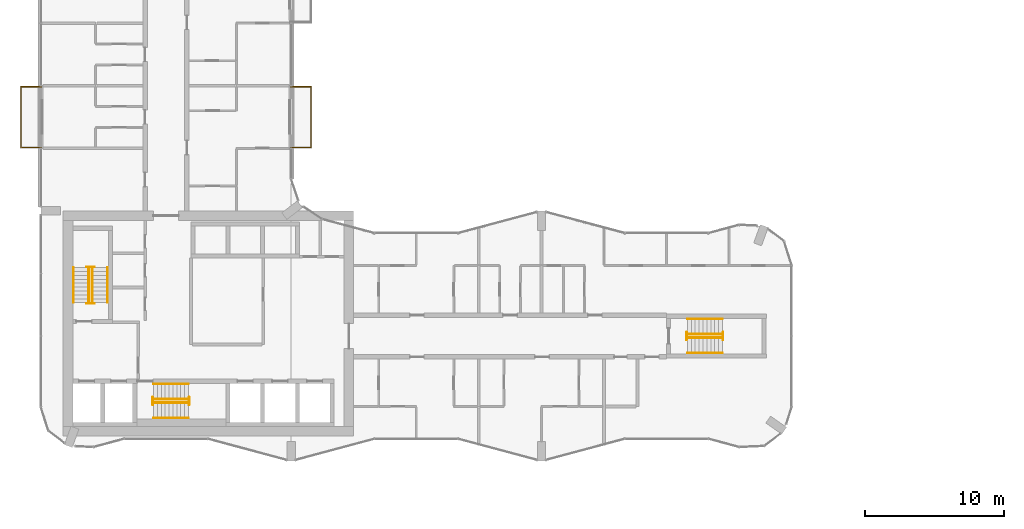
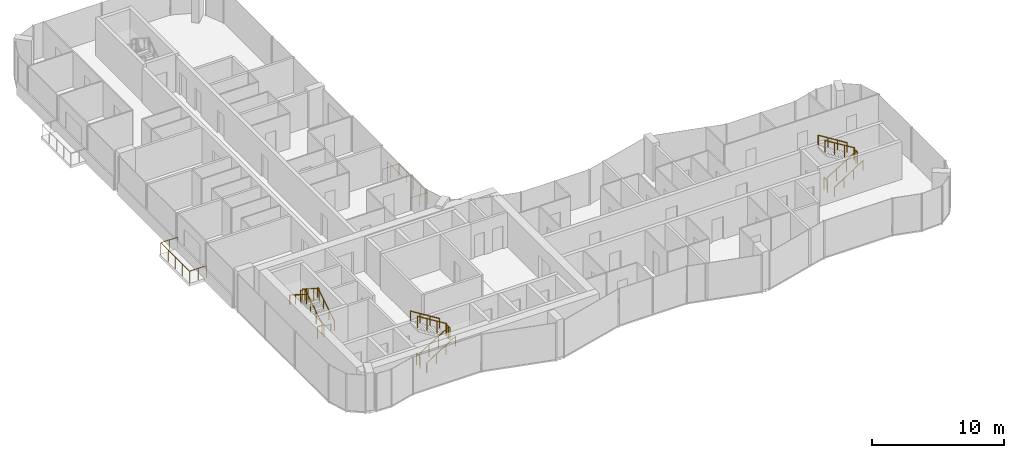
# One storey, part 21 of 23: 20 railings.
"""IFC4 building model written with IfcOpenShell, lengths in metres."""

import ifcopenshell
import ifcopenshell.guid

model = None  # the IFC model being written
_history = None  # IfcOwnerHistory: only IFC2X3 demands one
_inside = {}  # id of a spatial element -> (the spatial element, [elements in it])
_under = {}  # id of a project, library or spatial element -> (it, [spatial elements below it])
_declared = {}  # id of a project -> (the project, [libraries it declares])
_typed = {}  # id of a type object -> (the type object, [elements of that type])
_made_of = {}  # id of a material, layer set ... -> (it, [elements and type objects made of it])


def new_model(schema):
    """Start an empty IFC model of exactly this schema.

    Asked for "IFC4X3", IfcOpenShell would pick the latest addendum, in which some entities
    have other attributes; the version numbers below select the first issue.
    IFC2X3 requires an IfcOwnerHistory on every rooted entity: one is made here for all.
    """
    global model, _history
    if schema == "IFC4X3":
        model = ifcopenshell.file(schema_version=(4, 3, 0, 0))
    else:
        model = ifcopenshell.file(schema=schema)
    _inside.clear()
    _under.clear()
    _declared.clear()
    _typed.clear()
    _made_of.clear()
    _history = None
    if model.schema == "IFC2X3":
        org = make("IfcOrganization", Name="unknown")
        user = make(
            "IfcPersonAndOrganization",
            ThePerson=make("IfcPerson", FamilyName="unknown"),
            TheOrganization=org,
        )
        app = make(
            "IfcApplication",
            ApplicationDeveloper=org,
            Version="unknown",
            ApplicationFullName="unknown",
            ApplicationIdentifier="unknown",
        )
        _history = make(
            "IfcOwnerHistory",
            OwningUser=user,
            OwningApplication=app,
            ChangeAction="ADDED",
            CreationDate=0,
        )
    return model


def make(cls, **values):
    """One entity of the class cls with the attributes given. An attribute that is None is left unset."""
    return model.create_entity(
        cls, **{name: value for name, value in values.items() if value is not None}
    )


def rooted(cls, **values):
    """An entity with a GlobalId (a new one), such as an element, a storey or a relation."""
    return make(cls, GlobalId=ifcopenshell.guid.new(), OwnerHistory=_history, **values)


def si_unit(unit_type, name, prefix=None):
    """IfcSIUnit, for example si_unit("LENGTHUNIT", "METRE", prefix="MILLI")."""
    return make("IfcSIUnit", UnitType=unit_type, Prefix=prefix, Name=name)


def assignment(units):
    """IfcUnitAssignment: the units of a project."""
    return None if units is None else make("IfcUnitAssignment", Units=units)


def point(xyz):
    """IfcCartesianPoint."""
    return None if xyz is None else make("IfcCartesianPoint", Coordinates=xyz)


def direction(xyz):
    """IfcDirection."""
    return None if xyz is None else make("IfcDirection", DirectionRatios=xyz)


def frame(location, z_axis=None, x_axis=None):
    """IfcAxis2Placement3D, a coordinate frame: its origin and axes. An axis left out is left unset."""
    return make(
        "IfcAxis2Placement3D",
        Location=point(location),
        Axis=direction(z_axis),
        RefDirection=direction(x_axis),
    )


def frame_2d(location, x_axis=None):
    """IfcAxis2Placement2D, a coordinate frame in the plane: its origin and x axis."""
    return make(
        "IfcAxis2Placement2D", Location=point(location), RefDirection=direction(x_axis)
    )


def origin():
    """The frame at (0, 0, 0) with its axes left unset."""
    return frame((0.0, 0.0, 0.0))


def origin_2d():
    """The frame at (0, 0) in the plane with its x axis left unset."""
    return frame_2d((0.0, 0.0))


def place(relative_to, where):
    """IfcLocalPlacement: puts the frame where relative to a parent placement (None: the world)."""
    return make(
        "IfcLocalPlacement", PlacementRelTo=relative_to, RelativePlacement=where
    )


def context(
    kind, dimensions, precision=None, world=None, true_north=None, identifier=None
):
    """IfcGeometricRepresentationContext, for example the 3D "Model" context."""
    return make(
        "IfcGeometricRepresentationContext",
        ContextIdentifier=identifier,
        ContextType=kind,
        CoordinateSpaceDimension=dimensions,
        Precision=precision,
        WorldCoordinateSystem=world,
        TrueNorth=true_north,
    )


def subcontext(parent, identifier, kind, view, scale=None):
    """IfcGeometricRepresentationSubContext, for example "Body" below "Model"."""
    return make(
        "IfcGeometricRepresentationSubContext",
        ContextIdentifier=identifier,
        ContextType=kind,
        ParentContext=parent,
        TargetScale=scale,
        TargetView=view,
    )


def project(units=None, contexts=None):
    """IfcProject with its units and contexts."""
    return rooted(
        "IfcProject",
        Name="project",
        RepresentationContexts=contexts,
        UnitsInContext=assignment(units),
    )


def spatial(cls, under=None, at=None, **own):
    """A site, building, storey or space (cls), placed at a placement, below another one or the project."""
    s = rooted(cls, ObjectPlacement=at, **own)
    if under is not None:
        _under.setdefault(under.id(), (under, []))[1].append(s)
    return s


def profile(cls, at=None, kind="AREA", **sizes):
    """A parametric profile (cls). Its sizes go by their IFC names, for example OverallWidth=200.0."""
    return make(cls, ProfileType=kind, Position=at, **sizes)


def circle(**sizes):
    """IfcCircleProfileDef."""
    return profile("IfcCircleProfileDef", **sizes)


def extrude(swept, where, along, depth):
    """IfcExtrudedAreaSolid: the profile swept, set in the frame where, extruded along a direction by depth."""
    return make(
        "IfcExtrudedAreaSolid",
        SweptArea=swept,
        Position=where,
        ExtrudedDirection=direction(along),
        Depth=depth,
    )


def shape(context_of_items, identifier, shape_type, items):
    """IfcShapeRepresentation: the items that make up one representation, for example the "Body"."""
    return make(
        "IfcShapeRepresentation",
        ContextOfItems=context_of_items,
        RepresentationIdentifier=identifier,
        RepresentationType=shape_type,
        Items=items,
    )


def material(Name=None, Category=None):
    """IfcMaterial."""
    return make("IfcMaterial", Name=Name, Category=Category)


def made_of(thing, what):
    """Note that an element or type object is made of a material, layer set ...; save() writes the relation."""
    if what is not None:
        _made_of.setdefault(what.id(), (what, []))[1].append(thing)
    return thing


def type_object(cls, material=None, **own):
    """A type object (cls), such as IfcWallType, which elements share."""
    return made_of(rooted(cls, **own), material)


def element(
    cls,
    number,
    at=None,
    inside=None,
    cuts=None,
    type_object=None,
    material=None,
    context=None,
    identifier="Body",
    shape_type=None,
    held_by="IfcProductDefinitionShape",
    body=None,
    shapes=None,
    **own,
):
    """One element of the class cls, such as IfcWall. Its Tag is "e" and its number.

    at: its placement. inside: the storey or other place that contains it. cuts: it is an
    opening in that element (IfcRelVoidsElement). A single representation is given by context,
    identifier, shape_type and body (its items); several are given by shapes. held_by: the class
    of the entity that holds the representations. save() writes the other relations.
    """
    e = rooted(cls, Tag="e%d" % number, ObjectPlacement=at, **own)
    if body is not None:
        shapes = [shape(context, identifier, shape_type, body)]
    if shapes is not None:
        e.Representation = make(held_by, Representations=shapes)
    if inside is not None:
        _inside.setdefault(inside.id(), (inside, []))[1].append(e)
    if cuts is not None:
        rooted(
            "IfcRelVoidsElement", RelatingBuildingElement=cuts, RelatedOpeningElement=e
        )
    if type_object is not None:
        _typed.setdefault(type_object.id(), (type_object, []))[1].append(e)
    return made_of(e, material)


def aggregate(whole, parts):
    """IfcRelAggregates: a whole, such as a stair, and the parts it consists of."""
    return rooted("IfcRelAggregates", RelatingObject=whole, RelatedObjects=parts)


def save(model, path):
    """Write the relations noted so far, then the file.

    IfcRelAggregates (storeys below a building ...), IfcRelContainedInSpatialStructure (elements
    in a storey), IfcRelDefinesByType, IfcRelAssociatesMaterial and IfcRelDeclares: one each for
    every whole, place, type object, material and project.
    """
    for whole, parts in _under.values():
        aggregate(whole, parts)
    for where, things in _inside.values():
        rooted(
            "IfcRelContainedInSpatialStructure",
            RelatedElements=things,
            RelatingStructure=where,
        )
    for kind, things in _typed.values():
        rooted("IfcRelDefinesByType", RelatedObjects=things, RelatingType=kind)
    for what, things in _made_of.values():
        rooted("IfcRelAssociatesMaterial", RelatedObjects=things, RelatingMaterial=what)
    for by, libraries in _declared.values():
        rooted("IfcRelDeclares", RelatingContext=by, RelatedDefinitions=libraries)
    model.write(path)


model = new_model("IFC4")

# Units and contexts
model_context = context("Model", 3, precision=1e-05, world=origin(), true_north=direction((0.0, 1.0)))
body_context = subcontext(model_context, "Body", "Model", "MODEL_VIEW")
ifc_project = project(units=[si_unit("LENGTHUNIT", "METRE"), si_unit("AREAUNIT", "SQUARE_METRE"), si_unit("VOLUMEUNIT", "CUBIC_METRE"), si_unit("PLANEANGLEUNIT", "RADIAN"), si_unit("MASSUNIT", "GRAM", prefix="KILO")], contexts=[model_context])

# Site, building, storey
site_placement = place(None, origin())
site = spatial("IfcSite", under=ifc_project, at=site_placement, CompositionType="ELEMENT")
building_placement = place(site_placement, origin())
building = spatial("IfcBuilding", under=site, at=building_placement, Name="Plateau Cross Towers", CompositionType="ELEMENT")
storey_placement = place(building_placement, frame((0.0, 0.0, 85.300048828125)))
storey = spatial("IfcBuildingStorey", under=building, at=storey_placement, Name="L21", CompositionType="ELEMENT", Elevation=85.300048828125)

# Railings
ifc_material_1 = material(Name="Stainless steel and toughened glass", Category="steel")
railing_type_1 = type_object("IfcRailingType", Name="Glass balustrade guard 1100", PredefinedType="GUARDRAIL", material=ifc_material_1)
railing_1_placement = place(storey_placement, frame((0.050048828125, 22.570068359375, 0.0)))
element("IfcRailing", 1, at=railing_1_placement, inside=storey, type_object=railing_type_1, Name="Guard guard1", PredefinedType="GUARDRAIL", context=body_context, shape_type="SweptSolid", body=[
    extrude(circle(Radius=0.02392578125, at=origin_2d()), frame((0.0, 0.0, 1.076171875), z_axis=(-1.0, 0.0, 0.0), x_axis=(0.0, -1.0, 0.0)), (0.0, 0.0, 1.0), 1.47998046875),
    extrude(circle(Radius=0.02392578125, at=origin_2d()), frame((-1.47998046875, 0.0, 1.076171875), z_axis=(0.0, 1.0, 0.0), x_axis=(-1.0, 0.0, 0.0)), (0.0, 0.0, 1.0), 4.35986328125),
    extrude(circle(Radius=0.02392578125, at=origin_2d()), frame((-1.47998046875, 4.35986328125, 1.076171875), z_axis=(1.0, 0.0, 0.0), x_axis=(0.0, 1.0, 0.0)), (0.0, 0.0, 1.0), 1.47998046875),
    extrude(circle(Radius=0.02099609375, at=origin_2d()), origin(), (0.0, 0.0, 1.0), 1.052001953125),
    extrude(circle(Radius=0.02099609375, at=origin_2d()), frame((-0.739990234375, 0.0, 0.0)), (0.0, 0.0, 1.0), 1.052001953125),
    extrude(circle(Radius=0.02099609375, at=origin_2d()), frame((-1.47998046875, 0.0, 0.0)), (0.0, 0.0, 1.0), 1.052001953125),
    extrude(circle(Radius=0.02099609375, at=origin_2d()), frame((-1.47998046875, 1.08984375, 0.0)), (0.0, 0.0, 1.0), 1.052001953125),
    extrude(circle(Radius=0.02099609375, at=origin_2d()), frame((-1.47998046875, 2.179931640625, 0.0)), (0.0, 0.0, 1.0), 1.052001953125),
    extrude(circle(Radius=0.02099609375, at=origin_2d()), frame((-1.47998046875, 3.27001953125, 0.0)), (0.0, 0.0, 1.0), 1.052001953125),
    extrude(circle(Radius=0.02099609375, at=origin_2d()), frame((-1.47998046875, 4.35986328125, 0.0)), (0.0, 0.0, 1.0), 1.052001953125),
    extrude(circle(Radius=0.02099609375, at=origin_2d()), frame((-0.739990234375, 4.35986328125, 0.0)), (0.0, 0.0, 1.0), 1.052001953125),
    extrude(circle(Radius=0.02099609375, at=origin_2d()), frame((0.0, 4.35986328125, 0.0)), (0.0, 0.0, 1.0), 1.052001953125),
])
railing_2_placement = place(storey_placement, frame((17.949951171875, 26.929931640625, 0.0)))
element("IfcRailing", 2, at=railing_2_placement, inside=storey, type_object=railing_type_1, Name="Guard guard1", PredefinedType="GUARDRAIL", context=body_context, shape_type="SweptSolid", body=[
    extrude(circle(Radius=0.02392578125, at=origin_2d()), frame((0.0, 0.0, 1.076171875), z_axis=(1.0, 0.0, 0.0), x_axis=(0.0, 1.0, 0.0)), (0.0, 0.0, 1.0), 1.47998046875),
    extrude(circle(Radius=0.02392578125, at=origin_2d()), frame((1.47998046875, 0.0, 1.076171875), z_axis=(0.0, -1.0, 0.0), x_axis=(1.0, 0.0, 0.0)), (0.0, 0.0, 1.0), 4.35986328125),
    extrude(circle(Radius=0.02392578125, at=origin_2d()), frame((1.47998046875, -4.35986328125, 1.076171875), z_axis=(-1.0, 0.0, 0.0), x_axis=(0.0, -1.0, 0.0)), (0.0, 0.0, 1.0), 1.47998046875),
    extrude(circle(Radius=0.02099609375, at=origin_2d()), origin(), (0.0, 0.0, 1.0), 1.052001953125),
    extrude(circle(Radius=0.02099609375, at=origin_2d()), frame((0.739990234375, 0.0, 0.0)), (0.0, 0.0, 1.0), 1.052001953125),
    extrude(circle(Radius=0.02099609375, at=origin_2d()), frame((1.47998046875, 0.0, 0.0)), (0.0, 0.0, 1.0), 1.052001953125),
    extrude(circle(Radius=0.02099609375, at=origin_2d()), frame((1.47998046875, -1.08984375, 0.0)), (0.0, 0.0, 1.0), 1.052001953125),
    extrude(circle(Radius=0.02099609375, at=origin_2d()), frame((1.47998046875, -2.179931640625, 0.0)), (0.0, 0.0, 1.0), 1.052001953125),
    extrude(circle(Radius=0.02099609375, at=origin_2d()), frame((1.47998046875, -3.27001953125, 0.0)), (0.0, 0.0, 1.0), 1.052001953125),
    extrude(circle(Radius=0.02099609375, at=origin_2d()), frame((1.47998046875, -4.35986328125, 0.0)), (0.0, 0.0, 1.0), 1.052001953125),
    extrude(circle(Radius=0.02099609375, at=origin_2d()), frame((0.739990234375, -4.35986328125, 0.0)), (0.0, 0.0, 1.0), 1.052001953125),
    extrude(circle(Radius=0.02099609375, at=origin_2d()), frame((0.0, -4.35986328125, 0.0)), (0.0, 0.0, 1.0), 1.052001953125),
])
railing_type_2 = type_object("IfcRailingType", Name="RL-GUARD-1100", PredefinedType="GUARDRAIL", material=ifc_material_1)
railing_3_placement = place(storey_placement, frame((3.699951171875, 11.39990234375, 0.175048828125)))
element("IfcRailing", 3, at=railing_3_placement, inside=storey, type_object=railing_type_2, Name="L21 ST-1 stair guard 1", PredefinedType="GUARDRAIL", context=body_context, shape_type="SweptSolid", body=[
    extrude(circle(Radius=0.02392578125, at=origin_2d()), frame((0.0, 0.0, 1.076171875), z_axis=(0.0, 0.848007534815, 0.529984170421), x_axis=(-1.0, 0.0, 0.0)), (0.0, 0.0, 1.0), 2.9716796875),
    extrude(circle(Radius=0.02099609375, at=origin_2d()), origin(), (0.0, 0.0, 1.0), 1.052001953125),
    extrude(circle(Radius=0.02099609375, at=origin_2d()), frame((0.0, 0.840087890625, 0.52490234375)), (0.0, 0.0, 1.0), 1.052001953125),
    extrude(circle(Radius=0.02099609375, at=origin_2d()), frame((0.0, 1.679931640625, 1.050048828125)), (0.0, 0.0, 1.0), 1.052001953125),
    extrude(circle(Radius=0.02099609375, at=origin_2d()), frame((0.0, 2.52001953125, 1.574951171875)), (0.0, 0.0, 1.0), 1.052001953125),
])
railing_4_placement = place(storey_placement, frame((3.85009765625, 13.969970703125, 1.75)))
element("IfcRailing", 4, at=railing_4_placement, inside=storey, type_object=railing_type_2, Name="L21 ST-1 stair guard 2", PredefinedType="GUARDRAIL", context=body_context, shape_type="SweptSolid", body=[
    extrude(circle(Radius=0.02392578125, at=origin_2d()), frame((0.0, 0.0, 1.076171875), z_axis=(-1.0, 0.0, 0.0), x_axis=(0.0, -1.0, 0.0)), (0.0, 0.0, 1.0), 0.550048828125),
    extrude(circle(Radius=0.02099609375, at=origin_2d()), origin(), (0.0, 0.0, 1.0), 1.052001953125),
    extrude(circle(Radius=0.02099609375, at=origin_2d()), frame((-0.550048828125, 0.0, 0.0)), (0.0, 0.0, 1.0), 1.052001953125),
])
railing_5_placement = place(storey_placement, frame((3.449951171875, 13.919921875, 1.925048828125)))
element("IfcRailing", 5, at=railing_5_placement, inside=storey, type_object=railing_type_2, Name="L21 ST-1 stair guard 3", PredefinedType="GUARDRAIL", context=body_context, shape_type="SweptSolid", body=[
    extrude(circle(Radius=0.02392578125, at=origin_2d()), frame((0.0, 0.0, 1.076171875), z_axis=(0.0, -0.852616386126, 0.522537365276), x_axis=(1.0, 0.0, 0.0)), (0.0, 0.0, 1.0), 3.01416015625),
    extrude(circle(Radius=0.02099609375, at=origin_2d()), origin(), (0.0, 0.0, 1.0), 1.052001953125),
    extrude(circle(Radius=0.02099609375, at=origin_2d()), frame((0.0, -0.856689453125, 0.52490234375)), (0.0, 0.0, 1.0), 1.052001953125),
    extrude(circle(Radius=0.02099609375, at=origin_2d()), frame((0.0, -1.713134765625, 1.050048828125)), (0.0, 0.0, 1.0), 1.052001953125),
    extrude(circle(Radius=0.02099609375, at=origin_2d()), frame((0.0, -2.56982421875, 1.574951171875)), (0.0, 0.0, 1.0), 1.052001953125),
])
railing_6_placement = place(storey_placement, frame((3.85009765625, 11.35009765625, 0.0)))
element("IfcRailing", 6, at=railing_6_placement, inside=storey, type_object=railing_type_2, Name="L21 ST-1 stair guard 4", PredefinedType="GUARDRAIL", context=body_context, shape_type="SweptSolid", body=[
    extrude(circle(Radius=0.02392578125, at=origin_2d()), frame((0.0, 0.0, 1.076171875), z_axis=(-1.0, 0.0, 0.0), x_axis=(0.0, -1.0, 0.0)), (0.0, 0.0, 1.0), 0.550048828125),
    extrude(circle(Radius=0.02099609375, at=origin_2d()), origin(), (0.0, 0.0, 1.0), 1.052001953125),
    extrude(circle(Radius=0.02099609375, at=origin_2d()), frame((-0.550048828125, 0.0, 0.0)), (0.0, 0.0, 1.0), 1.052001953125),
])
railing_7_placement = place(storey_placement, frame((8.10009765625, 4.199951171875, 0.175048828125)))
element("IfcRailing", 7, at=railing_7_placement, inside=storey, type_object=railing_type_2, Name="L21 ST-2 stair guard 1", PredefinedType="GUARDRAIL", context=body_context, shape_type="SweptSolid", body=[
    extrude(circle(Radius=0.02392578125, at=origin_2d()), frame((0.0, 0.0, 1.076171875), z_axis=(0.848007534815, 0.0, 0.529984170421), x_axis=(0.0, 1.0, 0.0)), (0.0, 0.0, 1.0), 2.9716796875),
    extrude(circle(Radius=0.02099609375, at=origin_2d()), origin(), (0.0, 0.0, 1.0), 1.052001953125),
    extrude(circle(Radius=0.02099609375, at=origin_2d()), frame((0.840087890625, 0.0, 0.52490234375)), (0.0, 0.0, 1.0), 1.052001953125),
    extrude(circle(Radius=0.02099609375, at=origin_2d()), frame((1.679931640625, 0.0, 1.050048828125)), (0.0, 0.0, 1.0), 1.052001953125),
    extrude(circle(Radius=0.02099609375, at=origin_2d()), frame((2.52001953125, 0.0, 1.574951171875)), (0.0, 0.0, 1.0), 1.052001953125),
])
railing_8_placement = place(storey_placement, frame((10.669921875, 4.050048828125, 1.75)))
element("IfcRailing", 8, at=railing_8_placement, inside=storey, type_object=railing_type_2, Name="L21 ST-2 stair guard 2", PredefinedType="GUARDRAIL", context=body_context, shape_type="SweptSolid", body=[
    extrude(circle(Radius=0.02392578125, at=origin_2d()), frame((0.0, 0.0, 1.076171875), z_axis=(0.0, 1.0, 0.0), x_axis=(-1.0, 0.0, 0.0)), (0.0, 0.0, 1.0), 0.550048828125),
    extrude(circle(Radius=0.02099609375, at=origin_2d()), origin(), (0.0, 0.0, 1.0), 1.052001953125),
    extrude(circle(Radius=0.02099609375, at=origin_2d()), frame((0.0, 0.550048828125, 0.0)), (0.0, 0.0, 1.0), 1.052001953125),
])
railing_9_placement = place(storey_placement, frame((10.6201171875, 4.449951171875, 1.925048828125)))
element("IfcRailing", 9, at=railing_9_placement, inside=storey, type_object=railing_type_2, Name="L21 ST-2 stair guard 3", PredefinedType="GUARDRAIL", context=body_context, shape_type="SweptSolid", body=[
    extrude(circle(Radius=0.02392578125, at=origin_2d()), frame((0.0, 0.0, 1.076171875), z_axis=(-0.852638500773, 0.0, 0.522501279423), x_axis=(0.0, -1.0, 0.0)), (0.0, 0.0, 1.0), 3.01416015625),
    extrude(circle(Radius=0.02099609375, at=origin_2d()), origin(), (0.0, 0.0, 1.0), 1.052001953125),
    extrude(circle(Radius=0.02099609375, at=origin_2d()), frame((-0.856689453125, 0.0, 0.52490234375)), (0.0, 0.0, 1.0), 1.052001953125),
    extrude(circle(Radius=0.02099609375, at=origin_2d()), frame((-1.71337890625, 0.0, 1.050048828125)), (0.0, 0.0, 1.0), 1.052001953125),
    extrude(circle(Radius=0.02099609375, at=origin_2d()), frame((-2.570068359375, 0.0, 1.574951171875)), (0.0, 0.0, 1.0), 1.052001953125),
])
railing_10_placement = place(storey_placement, frame((8.050048828125, 4.050048828125, 0.0)))
element("IfcRailing", 10, at=railing_10_placement, inside=storey, type_object=railing_type_2, Name="L21 ST-2 stair guard 4", PredefinedType="GUARDRAIL", context=body_context, shape_type="SweptSolid", body=[
    extrude(circle(Radius=0.02392578125, at=origin_2d()), frame((0.0, 0.0, 1.076171875), z_axis=(0.0, 1.0, 0.0), x_axis=(-1.0, 0.0, 0.0)), (0.0, 0.0, 1.0), 0.550048828125),
    extrude(circle(Radius=0.02099609375, at=origin_2d()), origin(), (0.0, 0.0, 1.0), 1.052001953125),
    extrude(circle(Radius=0.02099609375, at=origin_2d()), frame((0.0, 0.550048828125, 0.0)), (0.0, 0.0, 1.0), 1.052001953125),
])
railing_11_placement = place(storey_placement, frame((46.5, 8.875, 0.175048828125)))
element("IfcRailing", 11, at=railing_11_placement, inside=storey, type_object=railing_type_2, Name="L21 ES-E stair guard 1", PredefinedType="GUARDRAIL", context=body_context, shape_type="SweptSolid", body=[
    extrude(circle(Radius=0.02392578125, at=origin_2d()), frame((0.0, 0.0, 1.076171875), z_axis=(0.848007534815, 0.0, 0.529984170421), x_axis=(0.0, 1.0, 0.0)), (0.0, 0.0, 1.0), 2.9716796875),
    extrude(circle(Radius=0.02099609375, at=origin_2d()), origin(), (0.0, 0.0, 1.0), 1.052001953125),
    extrude(circle(Radius=0.02099609375, at=origin_2d()), frame((0.840087890625, 0.0, 0.52490234375)), (0.0, 0.0, 1.0), 1.052001953125),
    extrude(circle(Radius=0.02099609375, at=origin_2d()), frame((1.679931640625, 0.0, 1.050048828125)), (0.0, 0.0, 1.0), 1.052001953125),
    extrude(circle(Radius=0.02099609375, at=origin_2d()), frame((2.52001953125, 0.0, 1.574951171875)), (0.0, 0.0, 1.0), 1.052001953125),
])
railing_12_placement = place(storey_placement, frame((49.070068359375, 8.72509765625, 1.75)))
element("IfcRailing", 12, at=railing_12_placement, inside=storey, type_object=railing_type_2, Name="L21 ES-E stair guard 2", PredefinedType="GUARDRAIL", context=body_context, shape_type="SweptSolid", body=[
    extrude(circle(Radius=0.02392578125, at=origin_2d()), frame((0.0, 0.0, 1.076171875), z_axis=(0.0, 1.0, 0.0), x_axis=(-1.0, 0.0, 0.0)), (0.0, 0.0, 1.0), 0.5498046875),
    extrude(circle(Radius=0.02099609375, at=origin_2d()), origin(), (0.0, 0.0, 1.0), 1.052001953125),
    extrude(circle(Radius=0.02099609375, at=origin_2d()), frame((0.0, 0.5498046875, 0.0)), (0.0, 0.0, 1.0), 1.052001953125),
])
railing_13_placement = place(storey_placement, frame((49.02001953125, 9.125, 1.925048828125)))
element("IfcRailing", 13, at=railing_13_placement, inside=storey, type_object=railing_type_2, Name="L21 ES-E stair guard 3", PredefinedType="GUARDRAIL", context=body_context, shape_type="SweptSolid", body=[
    extrude(circle(Radius=0.02392578125, at=origin_2d()), frame((0.0, 0.0, 1.076171875), z_axis=(-0.852638500773, 0.0, 0.522501279423), x_axis=(0.0, -1.0, 0.0)), (0.0, 0.0, 1.0), 3.01416015625),
    extrude(circle(Radius=0.02099609375, at=origin_2d()), origin(), (0.0, 0.0, 1.0), 1.052001953125),
    extrude(circle(Radius=0.02099609375, at=origin_2d()), frame((-0.856689453125, 0.0, 0.52490234375)), (0.0, 0.0, 1.0), 1.052001953125),
    extrude(circle(Radius=0.02099609375, at=origin_2d()), frame((-1.71337890625, 0.0, 1.050048828125)), (0.0, 0.0, 1.0), 1.052001953125),
    extrude(circle(Radius=0.02099609375, at=origin_2d()), frame((-2.570068359375, 0.0, 1.574951171875)), (0.0, 0.0, 1.0), 1.052001953125),
])
railing_14_placement = place(storey_placement, frame((46.449951171875, 8.72509765625, 0.0)))
element("IfcRailing", 14, at=railing_14_placement, inside=storey, type_object=railing_type_2, Name="L21 ES-E stair guard 4", PredefinedType="GUARDRAIL", context=body_context, shape_type="SweptSolid", body=[
    extrude(circle(Radius=0.02392578125, at=origin_2d()), frame((0.0, 0.0, 1.076171875), z_axis=(0.0, 1.0, 0.0), x_axis=(-1.0, 0.0, 0.0)), (0.0, 0.0, 1.0), 0.5498046875),
    extrude(circle(Radius=0.02099609375, at=origin_2d()), origin(), (0.0, 0.0, 1.0), 1.052001953125),
    extrude(circle(Radius=0.02099609375, at=origin_2d()), frame((0.0, 0.5498046875, 0.0)), (0.0, 0.0, 1.0), 1.052001953125),
])
ifc_material_2 = material(Name="Black anodised aluminium", Category="aluminium")
railing_type_3 = type_object("IfcRailingType", Name="RL-HANDRAIL-900", PredefinedType="HANDRAIL", material=ifc_material_2)
railing_15_placement = place(storey_placement, frame((4.800048828125, 11.39990234375, 0.175048828125)))
element("IfcRailing", 15, at=railing_15_placement, inside=storey, type_object=railing_type_3, Name="L21 ST-1 stair handrail 1", PredefinedType="HANDRAIL", context=body_context, shape_type="SweptSolid", body=[
    extrude(circle(Radius=0.02392578125, at=origin_2d()), frame((0.0, 0.0, 0.8759765625), z_axis=(0.0, 0.848007534815, 0.529984170421), x_axis=(-1.0, 0.0, 0.0)), (0.0, 0.0, 1.0), 2.9716796875),
    extrude(circle(Radius=0.02099609375, at=origin_2d()), origin(), (0.0, 0.0, 1.0), 0.851806640625),
    extrude(circle(Radius=0.02099609375, at=origin_2d()), frame((0.0, 0.840087890625, 0.52490234375)), (0.0, 0.0, 1.0), 0.851806640625),
    extrude(circle(Radius=0.02099609375, at=origin_2d()), frame((0.0, 1.679931640625, 1.050048828125)), (0.0, 0.0, 1.0), 0.851806640625),
    extrude(circle(Radius=0.02099609375, at=origin_2d()), frame((0.0, 2.52001953125, 1.574951171875)), (0.0, 0.0, 1.0), 0.851806640625),
])
railing_16_placement = place(storey_placement, frame((2.35009765625, 13.919921875, 1.925048828125)))
element("IfcRailing", 16, at=railing_16_placement, inside=storey, type_object=railing_type_3, Name="L21 ST-1 stair handrail 2", PredefinedType="HANDRAIL", context=body_context, shape_type="SweptSolid", body=[
    extrude(circle(Radius=0.02392578125, at=origin_2d()), frame((0.0, 0.0, 0.8759765625), z_axis=(0.0, -0.848007534815, 0.529984170421), x_axis=(1.0, 0.0, 0.0)), (0.0, 0.0, 1.0), 2.9716796875),
    extrude(circle(Radius=0.02099609375, at=origin_2d()), origin(), (0.0, 0.0, 1.0), 0.851806640625),
    extrude(circle(Radius=0.02099609375, at=origin_2d()), frame((0.0, -0.840087890625, 0.52490234375)), (0.0, 0.0, 1.0), 0.851806640625),
    extrude(circle(Radius=0.02099609375, at=origin_2d()), frame((0.0, -1.679931640625, 1.050048828125)), (0.0, 0.0, 1.0), 0.851806640625),
    extrude(circle(Radius=0.02099609375, at=origin_2d()), frame((0.0, -2.52001953125, 1.574951171875)), (0.0, 0.0, 1.0), 0.851806640625),
])
railing_17_placement = place(storey_placement, frame((8.10009765625, 3.10009765625, 0.175048828125)))
element("IfcRailing", 17, at=railing_17_placement, inside=storey, type_object=railing_type_3, Name="L21 ST-2 stair handrail 1", PredefinedType="HANDRAIL", context=body_context, shape_type="SweptSolid", body=[
    extrude(circle(Radius=0.02392578125, at=origin_2d()), frame((0.0, 0.0, 0.8759765625), z_axis=(0.848007534815, 0.0, 0.529984170421), x_axis=(0.0, 1.0, 0.0)), (0.0, 0.0, 1.0), 2.9716796875),
    extrude(circle(Radius=0.02099609375, at=origin_2d()), origin(), (0.0, 0.0, 1.0), 0.851806640625),
    extrude(circle(Radius=0.02099609375, at=origin_2d()), frame((0.840087890625, 0.0, 0.52490234375)), (0.0, 0.0, 1.0), 0.851806640625),
    extrude(circle(Radius=0.02099609375, at=origin_2d()), frame((1.679931640625, 0.0, 1.050048828125)), (0.0, 0.0, 1.0), 0.851806640625),
    extrude(circle(Radius=0.02099609375, at=origin_2d()), frame((2.52001953125, 0.0, 1.574951171875)), (0.0, 0.0, 1.0), 0.851806640625),
])
railing_18_placement = place(storey_placement, frame((10.6201171875, 5.550048828125, 1.925048828125)))
element("IfcRailing", 18, at=railing_18_placement, inside=storey, type_object=railing_type_3, Name="L21 ST-2 stair handrail 2", PredefinedType="HANDRAIL", context=body_context, shape_type="SweptSolid", body=[
    extrude(circle(Radius=0.02392578125, at=origin_2d()), frame((0.0, 0.0, 0.8759765625), z_axis=(-0.848007534815, 0.0, 0.529984170421), x_axis=(0.0, -1.0, 0.0)), (0.0, 0.0, 1.0), 2.9716796875),
    extrude(circle(Radius=0.02099609375, at=origin_2d()), origin(), (0.0, 0.0, 1.0), 0.851806640625),
    extrude(circle(Radius=0.02099609375, at=origin_2d()), frame((-0.840087890625, 0.0, 0.52490234375)), (0.0, 0.0, 1.0), 0.851806640625),
    extrude(circle(Radius=0.02099609375, at=origin_2d()), frame((-1.679931640625, 0.0, 1.050048828125)), (0.0, 0.0, 1.0), 0.851806640625),
    extrude(circle(Radius=0.02099609375, at=origin_2d()), frame((-2.52001953125, 0.0, 1.574951171875)), (0.0, 0.0, 1.0), 0.851806640625),
])
railing_19_placement = place(storey_placement, frame((46.5, 7.77490234375, 0.175048828125)))
element("IfcRailing", 19, at=railing_19_placement, inside=storey, type_object=railing_type_3, Name="L21 ES-E stair handrail 1", PredefinedType="HANDRAIL", context=body_context, shape_type="SweptSolid", body=[
    extrude(circle(Radius=0.02392578125, at=origin_2d()), frame((0.0, 0.0, 0.8759765625), z_axis=(0.848007534815, 0.0, 0.529984170421), x_axis=(0.0, 1.0, 0.0)), (0.0, 0.0, 1.0), 2.9716796875),
    extrude(circle(Radius=0.02099609375, at=origin_2d()), origin(), (0.0, 0.0, 1.0), 0.851806640625),
    extrude(circle(Radius=0.02099609375, at=origin_2d()), frame((0.840087890625, 0.0, 0.52490234375)), (0.0, 0.0, 1.0), 0.851806640625),
    extrude(circle(Radius=0.02099609375, at=origin_2d()), frame((1.679931640625, 0.0, 1.050048828125)), (0.0, 0.0, 1.0), 0.851806640625),
    extrude(circle(Radius=0.02099609375, at=origin_2d()), frame((2.52001953125, 0.0, 1.574951171875)), (0.0, 0.0, 1.0), 0.851806640625),
])
railing_20_placement = place(storey_placement, frame((49.02001953125, 10.22509765625, 1.925048828125)))
element("IfcRailing", 20, at=railing_20_placement, inside=storey, type_object=railing_type_3, Name="L21 ES-E stair handrail 2", PredefinedType="HANDRAIL", context=body_context, shape_type="SweptSolid", body=[
    extrude(circle(Radius=0.02392578125, at=origin_2d()), frame((0.0, 0.0, 0.8759765625), z_axis=(-0.848007534815, 0.0, 0.529984170421), x_axis=(0.0, -1.0, 0.0)), (0.0, 0.0, 1.0), 2.9716796875),
    extrude(circle(Radius=0.02099609375, at=origin_2d()), origin(), (0.0, 0.0, 1.0), 0.851806640625),
    extrude(circle(Radius=0.02099609375, at=origin_2d()), frame((-0.840087890625, 0.0, 0.52490234375)), (0.0, 0.0, 1.0), 0.851806640625),
    extrude(circle(Radius=0.02099609375, at=origin_2d()), frame((-1.679931640625, 0.0, 1.050048828125)), (0.0, 0.0, 1.0), 0.851806640625),
    extrude(circle(Radius=0.02099609375, at=origin_2d()), frame((-2.52001953125, 0.0, 1.574951171875)), (0.0, 0.0, 1.0), 0.851806640625),
])

save(model, "model.ifc")
